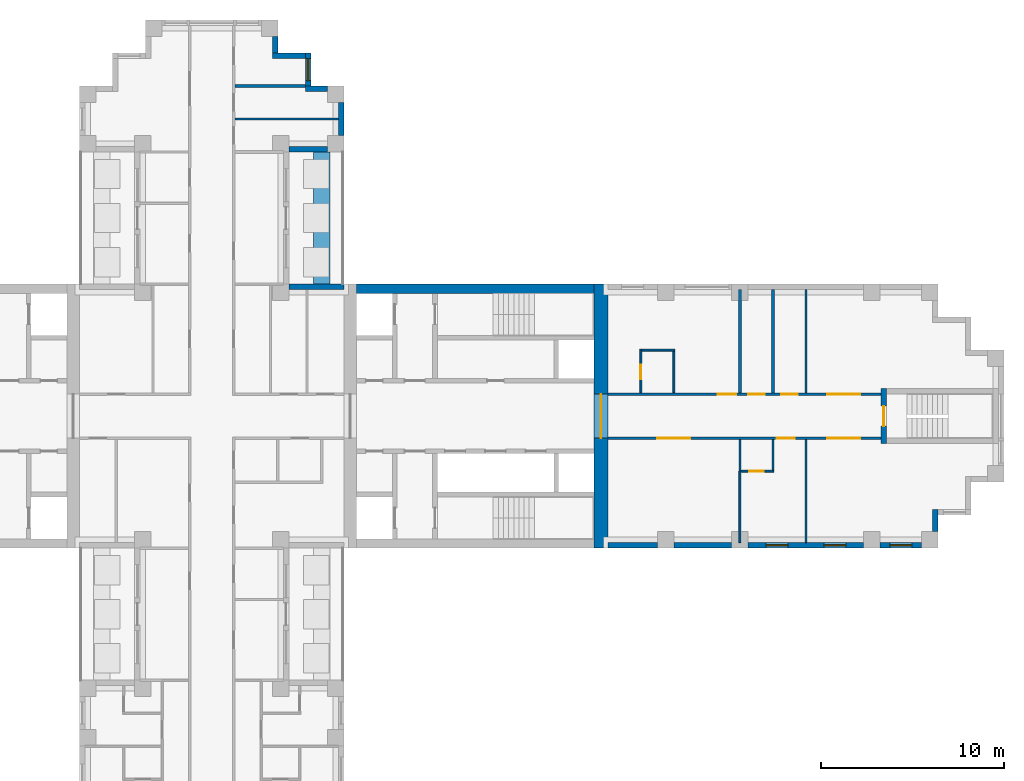
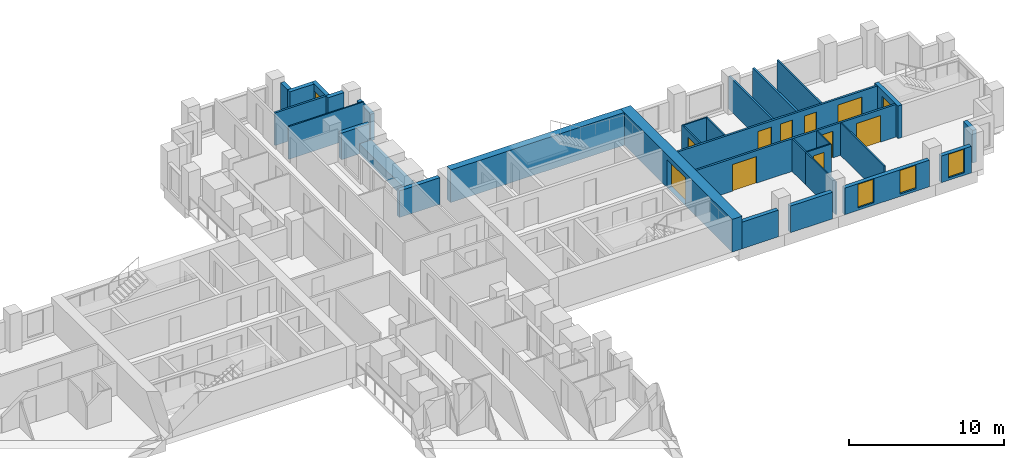
# One storey, part 10 of 14: 31 walls, 11 doors, 4 windows, 15 openings.
"""IFC4 building model written with IfcOpenShell, lengths in metres."""

from ifc_helpers import new_model, si_unit, direction, frame, frame_2d, origin, place, context, subcontext, project, spatial, rectangle, extrude, material, layer, layer_set, type_object, element, fill, save


model = new_model("IFC4")

# Units and contexts
model_context = context("Model", 3, precision=1e-05, world=origin(), true_north=direction((0.0, 1.0)))
body_context = subcontext(model_context, "Body", "Model", "MODEL_VIEW")
ifc_project = project(units=[si_unit("LENGTHUNIT", "METRE"), si_unit("AREAUNIT", "SQUARE_METRE"), si_unit("VOLUMEUNIT", "CUBIC_METRE"), si_unit("PLANEANGLEUNIT", "RADIAN"), si_unit("MASSUNIT", "GRAM", prefix="KILO")], contexts=[model_context])

# Site, building, storey
site_placement = place(None, origin())
site = spatial("IfcSite", under=ifc_project, at=site_placement, CompositionType="ELEMENT")
building_placement = place(site_placement, origin())
building = spatial("IfcBuilding", under=site, at=building_placement, Name="Fustian Cross Tower", CompositionType="ELEMENT")
storey_placement = place(building_placement, frame((0.0, 0.0, 99.89990234375)))
storey = spatial("IfcBuildingStorey", under=building, at=storey_placement, Name="L31", CompositionType="ELEMENT", Elevation=99.89990234375)

# Wall
ifc_material_1 = material(Name="Plasterboard on steel stud", Category="steel")
ifc_layer_1 = layer(ifc_material_1, 0.14990234375)
ifc_layer_set_1 = layer_set([ifc_layer_1], Name="Plasterboard on steel stud")
wall_type_1 = type_object("IfcWallType", Name="COMPARTMENT WALL 150 EI 60", PredefinedType="PARTITIONING", material=ifc_layer_set_1)
wall_1_placement = place(storey_placement, frame((1.27490234375, 18.0, 0.0), z_axis=(0.0, 0.0, 1.0), x_axis=(1.0, 0.0, 0.0)))
element("IfcWall", 1, at=wall_1_placement, inside=storey, type_object=wall_type_1, Name="Partition 55", PredefinedType="PARTITIONING", context=body_context, shape_type="SweptSolid", body=[
    extrude(rectangle(XDim=3.8251953125, YDim=0.14990234375, at=frame_2d((1.91259765625, 0.0))), origin(), (0.0, 0.0, 1.0), 2.5751953125),
])

# Wall, openings, doors
wall_2_placement = place(storey_placement, frame((21.60009765625, -1.199951171875, 0.0), z_axis=(0.0, 0.0, 1.0), x_axis=(1.0, 0.0, 0.0)))
wall_2 = element("IfcWall", 2, at=wall_2_placement, inside=storey, type_object=wall_type_1, Name="Partition 78", PredefinedType="PARTITIONING", context=body_context, shape_type="SweptSolid", body=[
    extrude(rectangle(XDim=14.89990234375, YDim=0.14990234375, at=frame_2d((7.449951171875, 0.0))), origin(), (0.0, 0.0, 1.0), 2.5751953125),
])
opening_1_placement = place(wall_2_placement, frame((2.699951171875, 0.0, 0.0)))
opening_1 = element("IfcOpeningElement", 3, at=opening_1_placement, cuts=wall_2, Name="Opening D14016", PredefinedType="OPENING", context=body_context, shape_type="SweptSolid", body=[
    extrude(rectangle(XDim=1.800048828125, YDim=2.10009765625, at=frame_2d((0.89990234375, 1.050048828125))), frame((0.0, 0.0849609375, 0.0), z_axis=(0.0, -1.0, 0.0), x_axis=(1.0, 0.0, 0.0)), (0.0, 0.0, 1.0), 0.169921875),
])
opening_2_placement = place(wall_2_placement, frame((9.199951171875, 0.0, 0.0)))
opening_2 = element("IfcOpeningElement", 4, at=opening_2_placement, cuts=wall_2, Name="Opening D14018", PredefinedType="OPENING", context=body_context, shape_type="SweptSolid", body=[
    extrude(rectangle(XDim=1.0, YDim=2.10009765625, at=frame_2d((0.5, 1.050048828125))), frame((0.0, 0.0849609375, 0.0), z_axis=(0.0, -1.0, 0.0), x_axis=(1.0, 0.0, 0.0)), (0.0, 0.0, 1.0), 0.169921875),
])
opening_3_placement = place(wall_2_placement, frame((11.949951171875, 0.0, 0.0)))
opening_3 = element("IfcOpeningElement", 5, at=opening_3_placement, cuts=wall_2, Name="Opening D14019", PredefinedType="OPENING", context=body_context, shape_type="SweptSolid", body=[
    extrude(rectangle(XDim=1.800048828125, YDim=2.10009765625, at=frame_2d((0.89990234375, 1.050048828125))), frame((0.0, 0.0849609375, 0.0), z_axis=(0.0, -1.0, 0.0), x_axis=(1.0, 0.0, 0.0)), (0.0, 0.0, 1.0), 0.169921875),
])
ifc_material_2 = material(Name="Timber fire door set", Category="wood")
door_type_1 = type_object("IfcDoorType", Name="FIRE DOUBLE DOOR 1800 FD30S", OperationType="DOUBLE_DOOR_DOUBLE_SWING", PredefinedType="DOOR", material=ifc_material_2)
door_1_placement = place(opening_1_placement, origin())
door_1 = element("IfcDoor", 6, at=door_1_placement, inside=storey, type_object=door_type_1, Name="Door D14016", OperationType="DOUBLE_DOOR_DOUBLE_SWING", OverallHeight=2.10009765625, OverallWidth=1.800048828125, PredefinedType="DOOR", context=body_context, shape_type="SweptSolid", body=[
    extrude(rectangle(XDim=1.800048828125, YDim=2.10009765625, at=frame_2d((0.89990234375, 1.050048828125))), frame((0.0, 0.02490234375, 0.0), z_axis=(0.0, -1.0, 0.0), x_axis=(1.0, 0.0, 0.0)), (0.0, 0.0, 1.0), 0.050048828125),
])
fill(opening_1, door_1)
door_2_placement = place(opening_3_placement, origin())
door_2 = element("IfcDoor", 7, at=door_2_placement, inside=storey, type_object=door_type_1, Name="Door D14019", OperationType="DOUBLE_DOOR_DOUBLE_SWING", OverallHeight=2.10009765625, OverallWidth=1.800048828125, PredefinedType="DOOR", context=body_context, shape_type="SweptSolid", body=[
    extrude(rectangle(XDim=1.800048828125, YDim=2.10009765625, at=frame_2d((0.89990234375, 1.050048828125))), frame((0.0, 0.02490234375, 0.0), z_axis=(0.0, -1.0, 0.0), x_axis=(1.0, 0.0, 0.0)), (0.0, 0.0, 1.0), 0.050048828125),
])
fill(opening_3, door_2)
ifc_material_3 = material(Name="Timber fire door set", Category="wood")
door_type_2 = type_object("IfcDoorType", Name="FIRE SWING DOOR 1000 FD30S", OperationType="SINGLE_SWING_LEFT", PredefinedType="DOOR", material=ifc_material_3)
door_3_placement = place(opening_2_placement, frame((1.0, 0.0, 0.0), z_axis=(0.0, 0.0, 1.0), x_axis=(-1.0, 0.0, 0.0)))
door_3 = element("IfcDoor", 8, at=door_3_placement, inside=storey, type_object=door_type_2, Name="Door D14018", OperationType="SINGLE_SWING_RIGHT", OverallHeight=2.10009765625, OverallWidth=1.0, PredefinedType="DOOR", context=body_context, shape_type="SweptSolid", body=[
    extrude(rectangle(XDim=1.0, YDim=2.10009765625, at=frame_2d((0.5, 1.050048828125))), frame((0.0, 0.02490234375, 0.0), z_axis=(0.0, -1.0, 0.0), x_axis=(1.0, 0.0, 0.0)), (0.0, 0.0, 1.0), 0.050048828125),
])
fill(opening_2, door_3)

wall_3_placement = place(storey_placement, frame((21.60009765625, 1.199951171875, 0.0), z_axis=(0.0, 0.0, 1.0), x_axis=(1.0, 0.0, 0.0)))
wall_3 = element("IfcWall", 9, at=wall_3_placement, inside=storey, type_object=wall_type_1, Name="Partition 79", PredefinedType="PARTITIONING", context=body_context, shape_type="SweptSolid", body=[
    extrude(rectangle(XDim=14.89990234375, YDim=0.14990234375, at=frame_2d((7.449951171875, 0.0))), origin(), (0.0, 0.0, 1.0), 2.5751953125),
])
opening_4_placement = place(wall_3_placement, frame((6.0, 0.0, 0.0)))
opening_4 = element("IfcOpeningElement", 10, at=opening_4_placement, cuts=wall_3, Name="Opening D14012", PredefinedType="OPENING", context=body_context, shape_type="SweptSolid", body=[
    extrude(rectangle(XDim=1.0, YDim=2.10009765625, at=frame_2d((0.5, 1.050048828125))), frame((0.0, 0.0849609375, 0.0), z_axis=(0.0, -1.0, 0.0), x_axis=(1.0, 0.0, 0.0)), (0.0, 0.0, 1.0), 0.169921875),
])
opening_5_placement = place(wall_3_placement, frame((7.64990234375, 0.0, 0.0)))
opening_5 = element("IfcOpeningElement", 11, at=opening_5_placement, cuts=wall_3, Name="Opening D14013", PredefinedType="OPENING", context=body_context, shape_type="SweptSolid", body=[
    extrude(rectangle(XDim=0.89990234375, YDim=2.10009765625, at=frame_2d((0.449951171875, 1.050048828125))), frame((0.0, 0.0849609375, 0.0), z_axis=(0.0, -1.0, 0.0), x_axis=(1.0, 0.0, 0.0)), (0.0, 0.0, 1.0), 0.169921875),
])
opening_6_placement = place(wall_3_placement, frame((9.449951171875, 0.0, 0.0)))
opening_6 = element("IfcOpeningElement", 12, at=opening_6_placement, cuts=wall_3, Name="Opening D14014", PredefinedType="OPENING", context=body_context, shape_type="SweptSolid", body=[
    extrude(rectangle(XDim=0.89990234375, YDim=2.10009765625, at=frame_2d((0.449951171875, 1.050048828125))), frame((0.0, 0.0849609375, 0.0), z_axis=(0.0, -1.0, 0.0), x_axis=(1.0, 0.0, 0.0)), (0.0, 0.0, 1.0), 0.169921875),
])
opening_7_placement = place(wall_3_placement, frame((11.949951171875, 0.0, 0.0)))
opening_7 = element("IfcOpeningElement", 13, at=opening_7_placement, cuts=wall_3, Name="Opening D14015", PredefinedType="OPENING", context=body_context, shape_type="SweptSolid", body=[
    extrude(rectangle(XDim=1.800048828125, YDim=2.10009765625, at=frame_2d((0.89990234375, 1.050048828125))), frame((0.0, 0.0849609375, 0.0), z_axis=(0.0, -1.0, 0.0), x_axis=(1.0, 0.0, 0.0)), (0.0, 0.0, 1.0), 0.169921875),
])
door_4_placement = place(opening_7_placement, frame((1.800048828125, 0.0, 0.0), z_axis=(0.0, 0.0, 1.0), x_axis=(-1.0, 0.0, 0.0)))
door_4 = element("IfcDoor", 14, at=door_4_placement, inside=storey, type_object=door_type_1, Name="Door D14015", OperationType="DOUBLE_DOOR_DOUBLE_SWING", OverallHeight=2.10009765625, OverallWidth=1.800048828125, PredefinedType="DOOR", context=body_context, shape_type="SweptSolid", body=[
    extrude(rectangle(XDim=1.800048828125, YDim=2.10009765625, at=frame_2d((0.89990234375, 1.050048828125))), frame((0.0, 0.02490234375, 0.0), z_axis=(0.0, -1.0, 0.0), x_axis=(1.0, 0.0, 0.0)), (0.0, 0.0, 1.0), 0.050048828125),
])
fill(opening_7, door_4)
door_5_placement = place(opening_4_placement, origin())
door_5 = element("IfcDoor", 15, at=door_5_placement, inside=storey, type_object=door_type_2, Name="Door D14012", OperationType="SINGLE_SWING_RIGHT", OverallHeight=2.10009765625, OverallWidth=1.0, PredefinedType="DOOR", context=body_context, shape_type="SweptSolid", body=[
    extrude(rectangle(XDim=1.0, YDim=2.10009765625, at=frame_2d((0.5, 1.050048828125))), frame((0.0, 0.02490234375, 0.0), z_axis=(0.0, -1.0, 0.0), x_axis=(1.0, 0.0, 0.0)), (0.0, 0.0, 1.0), 0.050048828125),
])
fill(opening_4, door_5)
ifc_material_4 = material(Name="Timber fire door set", Category="wood")
door_type_3 = type_object("IfcDoorType", Name="FIRE SWING DOOR 900 FD30S", OperationType="SINGLE_SWING_LEFT", PredefinedType="DOOR", material=ifc_material_4)
door_6_placement = place(opening_5_placement, origin())
door_6 = element("IfcDoor", 16, at=door_6_placement, inside=storey, type_object=door_type_3, Name="Door D14013", OperationType="SINGLE_SWING_RIGHT", OverallHeight=2.10009765625, OverallWidth=0.89990234375, PredefinedType="DOOR", context=body_context, shape_type="SweptSolid", body=[
    extrude(rectangle(XDim=0.89990234375, YDim=2.10009765625, at=frame_2d((0.449951171875, 1.050048828125))), frame((0.0, 0.02490234375, 0.0), z_axis=(0.0, -1.0, 0.0), x_axis=(1.0, 0.0, 0.0)), (0.0, 0.0, 1.0), 0.050048828125),
])
fill(opening_5, door_6)
door_7_placement = place(opening_6_placement, origin())
door_7 = element("IfcDoor", 17, at=door_7_placement, inside=storey, type_object=door_type_3, Name="Door D14014", OperationType="SINGLE_SWING_RIGHT", OverallHeight=2.10009765625, OverallWidth=0.89990234375, PredefinedType="DOOR", context=body_context, shape_type="SweptSolid", body=[
    extrude(rectangle(XDim=0.89990234375, YDim=2.10009765625, at=frame_2d((0.449951171875, 1.050048828125))), frame((0.0, 0.02490234375, 0.0), z_axis=(0.0, -1.0, 0.0), x_axis=(1.0, 0.0, 0.0)), (0.0, 0.0, 1.0), 0.050048828125),
])
fill(opening_6, door_7)

# Walls
for number, where, z_axis, x_axis, name in (
    (18, (28.800048828125, 1.27490234375, 0.0), (0.0, 0.0, 1.0), (0.0, 1.0, 0.0), "Partition 86"),
    (19, (30.60009765625, 1.27490234375, 0.0), (0.0, 0.0, 1.0), (0.0, 1.0, 0.0), "Partition 88"),
):
    element("IfcWall", number, at=place(storey_placement, frame(where, z_axis=z_axis, x_axis=x_axis)), inside=storey, type_object=wall_type_1, Name=name, PredefinedType="PARTITIONING", context=body_context, shape_type="SweptSolid", body=[
        extrude(rectangle(XDim=5.625, YDim=0.14990234375, at=frame_2d((2.8125, 0.0))), origin(), (0.0, 0.0, 1.0), 2.5751953125),
    ])

# Wall, opening, door
ifc_material_5 = material(Name="Concrete C70/85", Category="concrete")
ifc_layer_2 = layer(ifc_material_5, 0.75)
ifc_layer_set_2 = layer_set([ifc_layer_2], Name="Concrete C70/85")
wall_type_2 = type_object("IfcWallType", Name="CORE END WALL 750 C70/85", PredefinedType="SHEAR", material=ifc_layer_set_2)
wall_4_placement = place(storey_placement, frame((21.22509765625, -7.199951171875, 0.0), z_axis=(0.0, 0.0, 1.0), x_axis=(0.0, 1.0, 0.0)))
wall_4 = element("IfcWall", 20, at=wall_4_placement, inside=storey, type_object=wall_type_2, Name="Core end wall", PredefinedType="SHEAR", context=body_context, shape_type="SweptSolid", body=[
    extrude(rectangle(XDim=14.39990234375, YDim=0.75, at=frame_2d((7.199951171875, 0.0))), origin(), (0.0, 0.0, 1.0), 2.5751953125),
])
opening_8_placement = place(wall_4_placement, frame((6.0, 0.0, 0.0)))
opening_8 = element("IfcOpeningElement", 21, at=opening_8_placement, cuts=wall_4, Name="Opening CD-09-13", PredefinedType="OPENING", context=body_context, shape_type="SweptSolid", body=[
    extrude(rectangle(XDim=2.39990234375, YDim=2.199951171875, at=frame_2d((1.199951171875, 1.10009765625))), frame((0.0, 0.385009765625, 0.0), z_axis=(0.0, -1.0, 0.0), x_axis=(1.0, 0.0, 0.0)), (0.0, 0.0, 1.0), 0.77001953125),
])
ifc_material_6 = material(Name="Steel", Category="steel")
door_type_4 = type_object("IfcDoorType", Name="FIRE DOOR FD30S DOUBLE 2400X2200", OperationType="DOUBLE_DOOR_DOUBLE_SWING", PredefinedType="DOOR", material=ifc_material_6)
door_8_placement = place(opening_8_placement, origin())
door_8 = element("IfcDoor", 22, at=door_8_placement, inside=storey, type_object=door_type_4, Name="Core door CD-09-13", OperationType="DOUBLE_DOOR_DOUBLE_SWING", OverallHeight=2.199951171875, OverallWidth=2.39990234375, PredefinedType="DOOR", context=body_context, shape_type="SweptSolid", body=[
    extrude(rectangle(XDim=2.39990234375, YDim=2.199951171875, at=frame_2d((1.199951171875, 1.10009765625))), frame((0.0, 0.02490234375, 0.0), z_axis=(0.0, -1.0, 0.0), x_axis=(1.0, 0.0, 0.0)), (0.0, 0.0, 1.0), 0.050048828125),
])
fill(opening_8, door_8)

# Walls
ifc_material_7 = material(Name="Concrete C70/85", Category="concrete")
ifc_layer_3 = layer(ifc_material_7, 0.5)
ifc_layer_set_3 = layer_set([ifc_layer_3], Name="Concrete C70/85")
wall_type_3 = type_object("IfcWallType", Name="CORE FACADE WALL 500 C70/85", PredefinedType="SHEAR", material=ifc_layer_set_3)
wall_5_placement = place(storey_placement, frame((7.89990234375, 6.949951171875, 0.0), z_axis=(0.0, 0.0, 1.0), x_axis=(1.0, 0.0, 0.0)))
element("IfcWall", 23, at=wall_5_placement, inside=storey, type_object=wall_type_3, Name="Core facade wall", PredefinedType="SHEAR", context=body_context, shape_type="SweptSolid", body=[
    extrude(rectangle(XDim=12.9501953125, YDim=0.5, at=frame_2d((6.47509765625, 0.0))), origin(), (0.0, 0.0, 1.0), 2.5751953125),
])
ifc_material_8 = material(Name="Plasterboard on steel stud", Category="steel")
ifc_layer_4 = layer(ifc_material_8, 0.10009765625)
ifc_layer_set_4 = layer_set([ifc_layer_4], Name="Plasterboard on steel stud")
wall_type_4 = type_object("IfcWallType", Name="PARTITION 100 STUD", PredefinedType="PARTITIONING", material=ifc_layer_set_4)
wall_6_placement = place(storey_placement, frame((1.27490234375, 16.199951171875, 0.0), z_axis=(0.0, 0.0, 1.0), x_axis=(1.0, 0.0, 0.0)))
element("IfcWall", 24, at=wall_6_placement, inside=storey, type_object=wall_type_4, Name="Partition 54", PredefinedType="PARTITIONING", context=body_context, shape_type="SweptSolid", body=[
    extrude(rectangle(XDim=5.625, YDim=0.10009765625, at=frame_2d((2.8125, 0.0))), origin(), (0.0, 0.0, 1.0), 2.5751953125),
])

# Wall, opening, door
wall_7_placement = place(storey_placement, frame((23.39990234375, 1.27490234375, 0.0), z_axis=(0.0, 0.0, 1.0), x_axis=(0.0, 1.0, 0.0)))
wall_7 = element("IfcWall", 25, at=wall_7_placement, inside=storey, type_object=wall_type_4, Name="Partition 80", PredefinedType="PARTITIONING", context=body_context, shape_type="SweptSolid", body=[
    extrude(rectangle(XDim=2.375, YDim=0.10009765625, at=frame_2d((1.1875, 0.0))), origin(), (0.0, 0.0, 1.0), 2.5751953125),
])
opening_9_placement = place(wall_7_placement, frame((0.72509765625, 0.0, 0.0)))
opening_9 = element("IfcOpeningElement", 26, at=opening_9_placement, cuts=wall_7, Name="Opening D14011", PredefinedType="OPENING", context=body_context, shape_type="SweptSolid", body=[
    extrude(rectangle(XDim=0.800048828125, YDim=2.10009765625, at=frame_2d((0.39990234375, 1.050048828125))), frame((0.0, 0.06005859375, 0.0), z_axis=(0.0, -1.0, 0.0), x_axis=(1.0, 0.0, 0.0)), (0.0, 0.0, 1.0), 0.1201171875),
])
ifc_material_9 = material(Name="Painted timber", Category="wood")
door_type_5 = type_object("IfcDoorType", Name="SWING DOOR 800", OperationType="SINGLE_SWING_LEFT", PredefinedType="DOOR", material=ifc_material_9)
door_9_placement = place(opening_9_placement, frame((0.800048828125, 0.0, 0.0), z_axis=(0.0, 0.0, 1.0), x_axis=(-1.0, 0.0, 0.0)))
door_9 = element("IfcDoor", 27, at=door_9_placement, inside=storey, type_object=door_type_5, Name="Door D14011", OperationType="SINGLE_SWING_RIGHT", OverallHeight=2.10009765625, OverallWidth=0.800048828125, PredefinedType="DOOR", context=body_context, shape_type="SweptSolid", body=[
    extrude(rectangle(XDim=0.800048828125, YDim=2.10009765625, at=frame_2d((0.39990234375, 1.050048828125))), frame((0.0, 0.02490234375, 0.0), z_axis=(0.0, -1.0, 0.0), x_axis=(1.0, 0.0, 0.0)), (0.0, 0.0, 1.0), 0.050048828125),
])
fill(opening_9, door_9)

# Walls
wall_8_placement = place(storey_placement, frame((23.449951171875, 3.60009765625, 0.0), z_axis=(0.0, 0.0, 1.0), x_axis=(1.0, 0.0, 0.0)))
element("IfcWall", 28, at=wall_8_placement, inside=storey, type_object=wall_type_4, Name="Partition 81", PredefinedType="PARTITIONING", context=body_context, shape_type="SweptSolid", body=[
    extrude(rectangle(XDim=1.800048828125, YDim=0.10009765625, at=frame_2d((0.89990234375, 0.0))), origin(), (0.0, 0.0, 1.0), 2.5751953125),
])
wall_9_placement = place(storey_placement, frame((25.199951171875, 1.27490234375, 0.0), z_axis=(0.0, 0.0, 1.0), x_axis=(0.0, 1.0, 0.0)))
element("IfcWall", 29, at=wall_9_placement, inside=storey, type_object=wall_type_4, Name="Partition 82", PredefinedType="PARTITIONING", context=body_context, shape_type="SweptSolid", body=[
    extrude(rectangle(XDim=2.275146484375, YDim=0.10009765625, at=frame_2d((1.1376953125, 0.0))), origin(), (0.0, 0.0, 1.0), 2.5751953125),
])
wall_10_placement = place(storey_placement, frame((28.800048828125, -6.89990234375, 0.0), z_axis=(0.0, 0.0, 1.0), x_axis=(0.0, 1.0, 0.0)))
element("IfcWall", 30, at=wall_10_placement, inside=storey, type_object=wall_type_4, Name="Partition 83", PredefinedType="PARTITIONING", context=body_context, shape_type="SweptSolid", body=[
    extrude(rectangle(XDim=3.89990234375, YDim=0.10009765625, at=frame_2d((1.949951171875, 0.0))), origin(), (0.0, 0.0, 1.0), 2.5751953125),
])

# Wall, opening, door
wall_11_placement = place(storey_placement, frame((28.862548828125, -3.0, 0.0), z_axis=(0.0, 0.0, 1.0), x_axis=(1.0, 0.0, 0.0)))
wall_11 = element("IfcWall", 31, at=wall_11_placement, inside=storey, type_object=wall_type_4, Name="Partition 85", PredefinedType="PARTITIONING", context=body_context, shape_type="SweptSolid", body=[
    extrude(rectangle(XDim=1.787353515625, YDim=0.10009765625, at=frame_2d((0.8935546875, 0.0))), origin(), (0.0, 0.0, 1.0), 2.5751953125),
])
opening_10_placement = place(wall_11_placement, frame((0.4375, 0.0, 0.0)))
opening_10 = element("IfcOpeningElement", 32, at=opening_10_placement, cuts=wall_11, Name="Opening D14017", PredefinedType="OPENING", context=body_context, shape_type="SweptSolid", body=[
    extrude(rectangle(XDim=0.800048828125, YDim=2.10009765625, at=frame_2d((0.39990234375, 1.050048828125))), frame((0.0, 0.06005859375, 0.0), z_axis=(0.0, -1.0, 0.0), x_axis=(1.0, 0.0, 0.0)), (0.0, 0.0, 1.0), 0.1201171875),
])
door_10_placement = place(opening_10_placement, origin())
door_10 = element("IfcDoor", 33, at=door_10_placement, inside=storey, type_object=door_type_5, Name="Door D14017", OperationType="SINGLE_SWING_RIGHT", OverallHeight=2.10009765625, OverallWidth=0.800048828125, PredefinedType="DOOR", context=body_context, shape_type="SweptSolid", body=[
    extrude(rectangle(XDim=0.800048828125, YDim=2.10009765625, at=frame_2d((0.39990234375, 1.050048828125))), frame((0.0, 0.02490234375, 0.0), z_axis=(0.0, -1.0, 0.0), x_axis=(1.0, 0.0, 0.0)), (0.0, 0.0, 1.0), 0.050048828125),
])
fill(opening_10, door_10)

# Walls
wall_12_placement = place(storey_placement, frame((30.60009765625, -2.949951171875, 0.0), z_axis=(0.0, 0.0, 1.0), x_axis=(0.0, 1.0, 0.0)))
element("IfcWall", 34, at=wall_12_placement, inside=storey, type_object=wall_type_4, Name="Partition 87", PredefinedType="PARTITIONING", context=body_context, shape_type="SweptSolid", body=[
    extrude(rectangle(XDim=1.675048828125, YDim=0.10009765625, at=frame_2d((0.83740234375, 0.0))), origin(), (0.0, 0.0, 1.0), 2.5751953125),
])
wall_13_placement = place(storey_placement, frame((32.39990234375, -6.89990234375, 0.0), z_axis=(0.0, 0.0, 1.0), x_axis=(0.0, 1.0, 0.0)))
element("IfcWall", 35, at=wall_13_placement, inside=storey, type_object=wall_type_4, Name="Partition 89", PredefinedType="PARTITIONING", context=body_context, shape_type="SweptSolid", body=[
    extrude(rectangle(XDim=5.625, YDim=0.10009765625, at=frame_2d((2.8125, 0.0))), origin(), (0.0, 0.0, 1.0), 2.5751953125),
])
ifc_material_10 = material(Name="Concrete C40/50", Category="concrete")
ifc_layer_5 = layer(ifc_material_10, 0.89990234375)
ifc_layer_set_5 = layer_set([ifc_layer_5], Name="Concrete C40/50")
wall_type_5 = type_object("IfcWallType", Name="PK1 PLANTER 900", PredefinedType="PARAPET", material=ifc_layer_set_5)
wall_14_placement = place(storey_placement, frame((6.0, 7.199951171875, 0.0), z_axis=(0.0, 0.0, 1.0), x_axis=(0.0, 1.0, 0.0)))
element("IfcWall", 36, at=wall_14_placement, inside=storey, type_object=wall_type_5, Name="PLANTER", PredefinedType="PARAPET", context=body_context, shape_type="SweptSolid", body=[
    extrude(rectangle(XDim=7.199951171875, YDim=0.89990234375, at=frame_2d((3.60009765625, 0.0))), origin(), (0.0, 0.0, 1.0), 0.800048828125),
])

# Wall, opening, door
ifc_material_11 = material(Name="Concrete C50/60", Category="concrete")
ifc_layer_6 = layer(ifc_material_11, 0.300048828125)
ifc_layer_set_6 = layer_set([ifc_layer_6], Name="Concrete C50/60")
wall_type_6 = type_object("IfcWallType", Name="STAIR ENCLOSURE WALL 300 C50/60", PredefinedType="SHEAR", material=ifc_layer_set_6)
wall_15_placement = place(storey_placement, frame((36.64990234375, -1.5, 0.0), z_axis=(0.0, 0.0, 1.0), x_axis=(0.0, 1.0, 0.0)))
wall_15 = element("IfcWall", 37, at=wall_15_placement, inside=storey, type_object=wall_type_6, Name="Stair enclosure wall", PredefinedType="SHEAR", context=body_context, shape_type="SweptSolid", body=[
    extrude(rectangle(XDim=3.0, YDim=0.300048828125, at=frame_2d((1.5, 0.0))), origin(), (0.0, 0.0, 1.0), 2.5751953125),
])
opening_11_placement = place(wall_15_placement, frame((0.949951171875, 0.0, 0.0)))
opening_11 = element("IfcOpeningElement", 38, at=opening_11_placement, cuts=wall_15, Name="Opening CD-09-30", PredefinedType="OPENING", context=body_context, shape_type="SweptSolid", body=[
    extrude(rectangle(XDim=1.10009765625, YDim=2.10009765625, at=frame_2d((0.550048828125, 1.050048828125))), frame((0.0, 0.159912109375, 0.0), z_axis=(0.0, -1.0, 0.0), x_axis=(1.0, 0.0, 0.0)), (0.0, 0.0, 1.0), 0.320068359375),
])
ifc_material_12 = material(Name="Steel", Category="steel")
door_type_6 = type_object("IfcDoorType", Name="FIRE DOOR FD60S 1100X2100", OperationType="SINGLE_SWING_LEFT", PredefinedType="DOOR", material=ifc_material_12)
door_11_placement = place(opening_11_placement, frame((1.10009765625, 0.0, 0.0), z_axis=(0.0, 0.0, 1.0), x_axis=(-1.0, 0.0, 0.0)))
door_11 = element("IfcDoor", 39, at=door_11_placement, inside=storey, type_object=door_type_6, Name="Core door CD-09-30", OperationType="SINGLE_SWING_RIGHT", OverallHeight=2.10009765625, OverallWidth=1.10009765625, PredefinedType="DOOR", context=body_context, shape_type="SweptSolid", body=[
    extrude(rectangle(XDim=1.10009765625, YDim=2.10009765625, at=frame_2d((0.550048828125, 1.050048828125))), frame((0.0, 0.02490234375, 0.0), z_axis=(0.0, -1.0, 0.0), x_axis=(1.0, 0.0, 0.0)), (0.0, 0.0, 1.0), 0.050048828125),
])
fill(opening_11, door_11)

# Walls
ifc_material_13 = material(Name="Plasterboard on steel stud", Category="steel")
ifc_layer_7 = layer(ifc_material_13, 0.125)
ifc_layer_set_7 = layer_set([ifc_layer_7], Name="Plasterboard on steel stud")
wall_type_7 = type_object("IfcWallType", Name="WET WALL 125 STUD", PredefinedType="PARTITIONING", material=ifc_layer_set_7)
wall_16_placement = place(storey_placement, frame((28.800048828125, -3.0, 0.0), z_axis=(0.0, 0.0, 1.0), x_axis=(0.0, 1.0, 0.0)))
element("IfcWall", 40, at=wall_16_placement, inside=storey, type_object=wall_type_7, Name="Partition 84", PredefinedType="PARTITIONING", context=body_context, shape_type="SweptSolid", body=[
    extrude(rectangle(XDim=1.72509765625, YDim=0.125, at=frame_2d((0.862548828125, 0.0))), origin(), (0.0, 0.0, 1.0), 2.5751953125),
])
wall_17_placement = place(storey_placement, frame((32.39990234375, 1.27490234375, 0.0), z_axis=(0.0, 0.0, 1.0), x_axis=(0.0, 1.0, 0.0)))
element("IfcWall", 41, at=wall_17_placement, inside=storey, type_object=wall_type_7, Name="Partition 90", PredefinedType="PARTITIONING", context=body_context, shape_type="SweptSolid", body=[
    extrude(rectangle(XDim=5.625, YDim=0.125, at=frame_2d((2.8125, 0.0))), origin(), (0.0, 0.0, 1.0), 2.5751953125),
])
ifc_material_14 = material(Name="Dark aluminium cladding on insulated backing wall", Category="aluminium")
ifc_layer_8 = layer(ifc_material_14, 0.300048828125)
ifc_layer_set_8 = layer_set([ifc_layer_8], Name="Dark aluminium cladding on insulated backing wall")
wall_type_8 = type_object("IfcWallType", Name="XW1 EXTERNAL WALL 300", PredefinedType="SOLIDWALL", material=ifc_layer_set_8)
wall_18_placement = place(storey_placement, frame((21.60009765625, -7.050048828125, 0.0), z_axis=(0.0, 0.0, 1.0), x_axis=(1.0, 0.0, 0.0)))
element("IfcWall", 42, at=wall_18_placement, inside=storey, type_object=wall_type_8, Name="External wall", PredefinedType="SOLIDWALL", context=body_context, shape_type="SweptSolid", body=[
    extrude(rectangle(XDim=2.699951171875, YDim=0.300048828125, at=frame_2d((1.35009765625, 0.0))), origin(), (0.0, 0.0, 1.0), 2.10009765625),
])
wall_19_placement = place(storey_placement, frame((25.199951171875, -7.050048828125, 0.0), z_axis=(0.0, 0.0, 1.0), x_axis=(1.0, 0.0, 0.0)))
element("IfcWall", 43, at=wall_19_placement, inside=storey, type_object=wall_type_8, Name="External wall", PredefinedType="SOLIDWALL", context=body_context, shape_type="SweptSolid", body=[
    extrude(rectangle(XDim=3.150146484375, YDim=0.300048828125, at=frame_2d((1.5751953125, 0.0))), origin(), (0.0, 0.0, 1.0), 2.10009765625),
])

# Wall, openings, windows
wall_20_placement = place(storey_placement, frame((29.25, -7.050048828125, 0.0), z_axis=(0.0, 0.0, 1.0), x_axis=(1.0, 0.0, 0.0)))
wall_20 = element("IfcWall", 44, at=wall_20_placement, inside=storey, type_object=wall_type_8, Name="External wall", PredefinedType="SOLIDWALL", context=body_context, shape_type="SweptSolid", body=[
    extrude(rectangle(XDim=6.300048828125, YDim=0.300048828125, at=frame_2d((3.14990234375, 0.0))), origin(), (0.0, 0.0, 1.0), 2.10009765625),
])
opening_12_placement = place(wall_20_placement, frame((0.97509765625, 0.0, 0.199951171875)))
opening_12 = element("IfcOpeningElement", 45, at=opening_12_placement, cuts=wall_20, Name="Opening WN3", PredefinedType="OPENING", context=body_context, shape_type="SweptSolid", body=[
    extrude(rectangle(XDim=1.199951171875, YDim=1.85009765625, at=frame_2d((0.60009765625, 0.925048828125))), frame((0.0, 0.159912109375, 0.0), z_axis=(0.0, -1.0, 0.0), x_axis=(1.0, 0.0, 0.0)), (0.0, 0.0, 1.0), 0.320068359375),
])
opening_13_placement = place(wall_20_placement, frame((4.125, 0.0, 0.199951171875)))
opening_13 = element("IfcOpeningElement", 46, at=opening_13_placement, cuts=wall_20, Name="Opening WN3", PredefinedType="OPENING", context=body_context, shape_type="SweptSolid", body=[
    extrude(rectangle(XDim=1.199951171875, YDim=1.85009765625, at=frame_2d((0.60009765625, 0.925048828125))), frame((0.0, 0.159912109375, 0.0), z_axis=(0.0, -1.0, 0.0), x_axis=(1.0, 0.0, 0.0)), (0.0, 0.0, 1.0), 0.320068359375),
])
ifc_material_15 = material(Name="Dark anodised aluminium and double glazing", Category="aluminium")
window_type = type_object("IfcWindowType", Name="WN3 WINDOW 1200X1850", PartitioningType="SINGLE_PANEL", PredefinedType="WINDOW", material=ifc_material_15)
window_1_placement = place(opening_12_placement, origin())
window_1 = element("IfcWindow", 47, at=window_1_placement, inside=storey, type_object=window_type, Name="Window", OverallHeight=1.85009765625, OverallWidth=1.199951171875, PartitioningType="SINGLE_PANEL", PredefinedType="WINDOW", context=body_context, shape_type="SweptSolid", body=[
    extrude(rectangle(XDim=1.199951171875, YDim=1.85009765625, at=frame_2d((0.60009765625, 0.925048828125))), frame((0.0, 0.030029296875, 0.0), z_axis=(0.0, -1.0, 0.0), x_axis=(1.0, 0.0, 0.0)), (0.0, 0.0, 1.0), 0.06005859375),
])
fill(opening_12, window_1)
window_2_placement = place(opening_13_placement, origin())
window_2 = element("IfcWindow", 48, at=window_2_placement, inside=storey, type_object=window_type, Name="Window", OverallHeight=1.85009765625, OverallWidth=1.199951171875, PartitioningType="SINGLE_PANEL", PredefinedType="WINDOW", context=body_context, shape_type="SweptSolid", body=[
    extrude(rectangle(XDim=1.199951171875, YDim=1.85009765625, at=frame_2d((0.60009765625, 0.925048828125))), frame((0.0, 0.030029296875, 0.0), z_axis=(0.0, -1.0, 0.0), x_axis=(1.0, 0.0, 0.0)), (0.0, 0.0, 1.0), 0.06005859375),
])
fill(opening_13, window_2)

# Wall, opening, window
wall_21_placement = place(storey_placement, frame((36.449951171875, -7.050048828125, 0.0), z_axis=(0.0, 0.0, 1.0), x_axis=(1.0, 0.0, 0.0)))
wall_21 = element("IfcWall", 49, at=wall_21_placement, inside=storey, type_object=wall_type_8, Name="External wall", PredefinedType="SOLIDWALL", context=body_context, shape_type="SweptSolid", body=[
    extrude(rectangle(XDim=2.25, YDim=0.300048828125, at=frame_2d((1.125, 0.0))), origin(), (0.0, 0.0, 1.0), 2.10009765625),
])
opening_14_placement = place(wall_21_placement, frame((0.52490234375, 0.0, 0.199951171875)))
opening_14 = element("IfcOpeningElement", 50, at=opening_14_placement, cuts=wall_21, Name="Opening WN3", PredefinedType="OPENING", context=body_context, shape_type="SweptSolid", body=[
    extrude(rectangle(XDim=1.199951171875, YDim=1.85009765625, at=frame_2d((0.60009765625, 0.925048828125))), frame((0.0, 0.159912109375, 0.0), z_axis=(0.0, -1.0, 0.0), x_axis=(1.0, 0.0, 0.0)), (0.0, 0.0, 1.0), 0.320068359375),
])
window_3_placement = place(opening_14_placement, origin())
window_3 = element("IfcWindow", 51, at=window_3_placement, inside=storey, type_object=window_type, Name="Window", OverallHeight=1.85009765625, OverallWidth=1.199951171875, PartitioningType="SINGLE_PANEL", PredefinedType="WINDOW", context=body_context, shape_type="SweptSolid", body=[
    extrude(rectangle(XDim=1.199951171875, YDim=1.85009765625, at=frame_2d((0.60009765625, 0.925048828125))), frame((0.0, 0.030029296875, 0.0), z_axis=(0.0, -1.0, 0.0), x_axis=(1.0, 0.0, 0.0)), (0.0, 0.0, 1.0), 0.06005859375),
])
fill(opening_14, window_3)

# Walls
wall_22_placement = place(storey_placement, frame((39.449951171875, -6.300048828125, 0.0), z_axis=(0.0, 0.0, 1.0), x_axis=(0.0, 1.0, 0.0)))
element("IfcWall", 52, at=wall_22_placement, inside=storey, type_object=wall_type_8, Name="External wall", PredefinedType="SOLIDWALL", context=body_context, shape_type="SweptSolid", body=[
    extrude(rectangle(XDim=1.199951171875, YDim=0.300048828125, at=frame_2d((0.60009765625, 0.0))), origin(), (0.0, 0.0, 1.0), 2.5751953125),
])
wall_23_placement = place(storey_placement, frame((7.199951171875, 7.050048828125, 0.0), z_axis=(0.0, 0.0, 1.0), x_axis=(-1.0, 0.0, 0.0)))
element("IfcWall", 53, at=wall_23_placement, inside=storey, type_object=wall_type_8, Name="External wall", PredefinedType="SOLIDWALL", context=body_context, shape_type="SweptSolid", body=[
    extrude(rectangle(XDim=3.0, YDim=0.300048828125, at=frame_2d((1.5, 0.0))), origin(), (0.0, 0.0, 1.0), 2.10009765625),
])
wall_24_placement = place(storey_placement, frame((4.199951171875, 14.550048828125, 0.0), z_axis=(0.0, 0.0, 1.0), x_axis=(1.0, 0.0, 0.0)))
element("IfcWall", 54, at=wall_24_placement, inside=storey, type_object=wall_type_8, Name="External wall", PredefinedType="SOLIDWALL", context=body_context, shape_type="SweptSolid", body=[
    extrude(rectangle(XDim=2.10009765625, YDim=0.300048828125, at=frame_2d((1.050048828125, 0.0))), origin(), (0.0, 0.0, 1.0), 2.10009765625),
])
wall_25_placement = place(storey_placement, frame((7.050048828125, 15.300048828125, 0.0), z_axis=(0.0, 0.0, 1.0), x_axis=(0.0, 1.0, 0.0)))
element("IfcWall", 55, at=wall_25_placement, inside=storey, type_object=wall_type_8, Name="External wall", PredefinedType="SOLIDWALL", context=body_context, shape_type="SweptSolid", body=[
    extrude(rectangle(XDim=1.800048828125, YDim=0.300048828125, at=frame_2d((0.89990234375, 0.0))), origin(), (0.0, 0.0, 1.0), 2.10009765625),
])
wall_26_placement = place(storey_placement, frame((6.300048828125, 17.85009765625, 0.0), z_axis=(0.0, 0.0, 1.0), x_axis=(-1.0, 0.0, 0.0)))
element("IfcWall", 56, at=wall_26_placement, inside=storey, type_object=wall_type_8, Name="External wall", PredefinedType="SOLIDWALL", context=body_context, shape_type="SweptSolid", body=[
    extrude(rectangle(XDim=1.199951171875, YDim=0.300048828125, at=frame_2d((0.60009765625, 0.0))), origin(), (0.0, 0.0, 1.0), 2.5751953125),
])

# Wall, opening, window
wall_27_placement = place(storey_placement, frame((5.25, 18.0, 0.0), z_axis=(0.0, 0.0, 1.0), x_axis=(0.0, 1.0, 0.0)))
wall_27 = element("IfcWall", 57, at=wall_27_placement, inside=storey, type_object=wall_type_8, Name="External wall", PredefinedType="SOLIDWALL", context=body_context, shape_type="SweptSolid", body=[
    extrude(rectangle(XDim=1.800048828125, YDim=0.300048828125, at=frame_2d((0.89990234375, 0.0))), origin(), (0.0, 0.0, 1.0), 2.5751953125),
])
opening_15_placement = place(wall_27_placement, frame((0.300048828125, 0.0, 0.199951171875)))
opening_15 = element("IfcOpeningElement", 58, at=opening_15_placement, cuts=wall_27, Name="Opening WN3", PredefinedType="OPENING", context=body_context, shape_type="SweptSolid", body=[
    extrude(rectangle(XDim=1.199951171875, YDim=1.85009765625, at=frame_2d((0.60009765625, 0.925048828125))), frame((0.0, 0.159912109375, 0.0), z_axis=(0.0, -1.0, 0.0), x_axis=(1.0, 0.0, 0.0)), (0.0, 0.0, 1.0), 0.320068359375),
])
window_4_placement = place(opening_15_placement, origin())
window_4 = element("IfcWindow", 59, at=window_4_placement, inside=storey, type_object=window_type, Name="Window", OverallHeight=1.85009765625, OverallWidth=1.199951171875, PartitioningType="SINGLE_PANEL", PredefinedType="WINDOW", context=body_context, shape_type="SweptSolid", body=[
    extrude(rectangle(XDim=1.199951171875, YDim=1.85009765625, at=frame_2d((0.60009765625, 0.925048828125))), frame((0.0, 0.030029296875, 0.0), z_axis=(0.0, -1.0, 0.0), x_axis=(1.0, 0.0, 0.0)), (0.0, 0.0, 1.0), 0.06005859375),
])
fill(opening_15, window_4)

# Walls
wall_28_placement = place(storey_placement, frame((5.10009765625, 19.64990234375, 0.0), z_axis=(0.0, 0.0, 1.0), x_axis=(-1.0, 0.0, 0.0)))
element("IfcWall", 60, at=wall_28_placement, inside=storey, type_object=wall_type_8, Name="External wall", PredefinedType="SOLIDWALL", context=body_context, shape_type="SweptSolid", body=[
    extrude(rectangle(XDim=1.800048828125, YDim=0.300048828125, at=frame_2d((0.89990234375, 0.0))), origin(), (0.0, 0.0, 1.0), 2.5751953125),
])
wall_29_placement = place(storey_placement, frame((3.449951171875, 19.800048828125, 0.0), z_axis=(0.0, 0.0, 1.0), x_axis=(0.0, 1.0, 0.0)))
element("IfcWall", 61, at=wall_29_placement, inside=storey, type_object=wall_type_8, Name="External wall", PredefinedType="SOLIDWALL", context=body_context, shape_type="SweptSolid", body=[
    extrude(rectangle(XDim=0.89990234375, YDim=0.300048828125, at=frame_2d((0.449951171875, 0.0))), origin(), (0.0, 0.0, 1.0), 2.5751953125),
])

save(model, "model.ifc")
